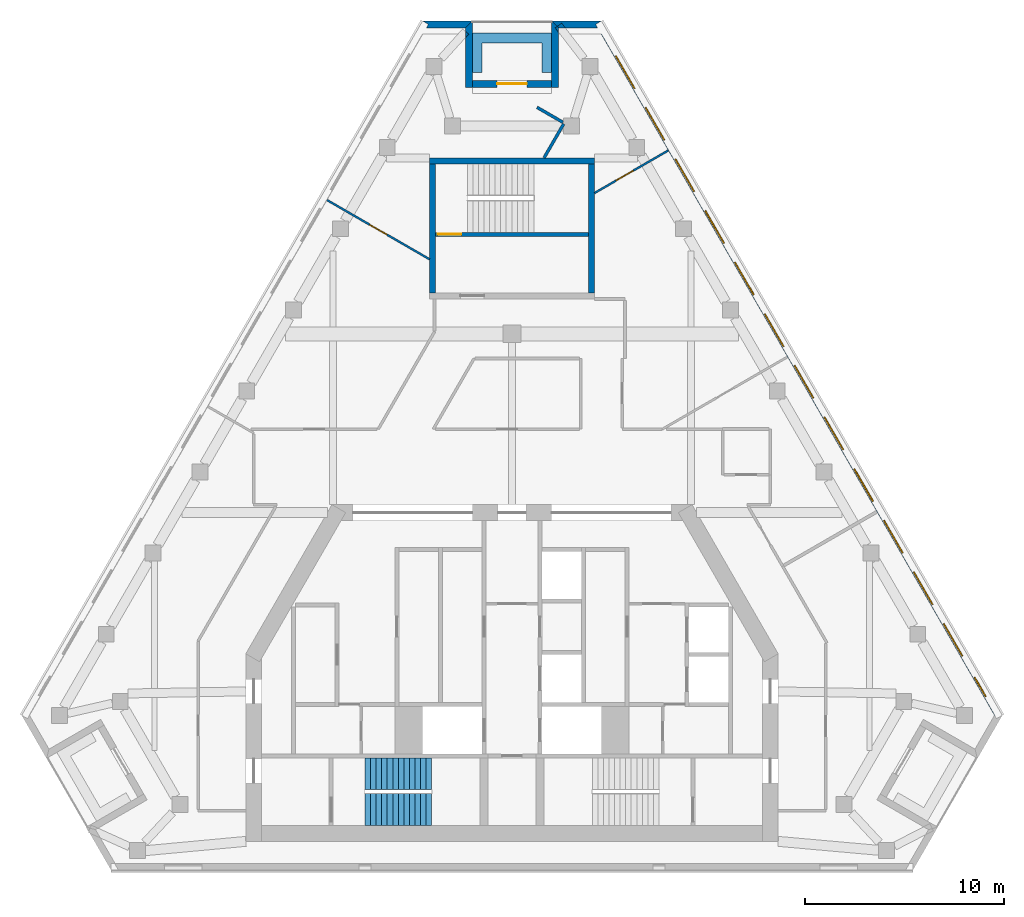
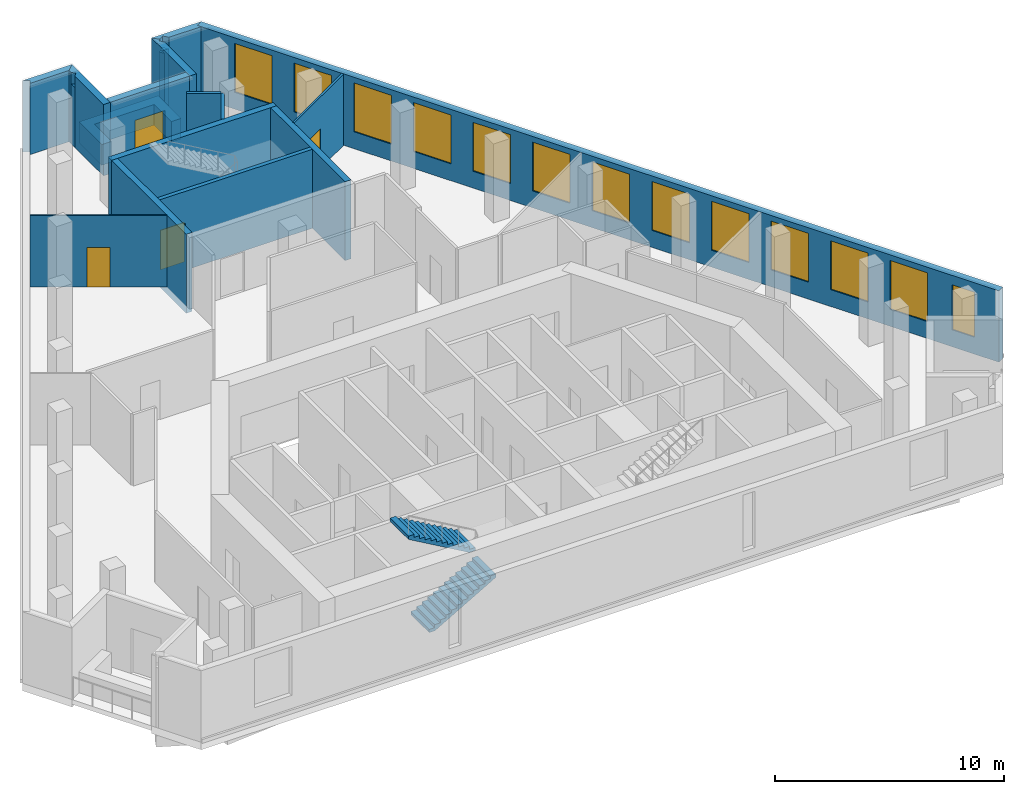
# One storey, part 6 of 8: 18 walls, 13 windows, 4 doors, 2 stair flights, 17 openings, 1 element without a shape of its own.
"""IFC4 building model written with IfcOpenShell, lengths in metres."""

from ifc_helpers import new_model, si_unit, direction, frame, frame_2d, origin, place, context, subcontext, project, spatial, polyline, rectangle, outline, extrude, material, layer, layer_set, type_object, element, fill, aggregate, save


model = new_model("IFC4")

# Units and contexts
model_context = context("Model", 3, precision=1e-05, world=origin(), true_north=direction((0.0, 1.0)))
body_context = subcontext(model_context, "Body", "Model", "MODEL_VIEW")
ifc_project = project(units=[si_unit("LENGTHUNIT", "METRE"), si_unit("AREAUNIT", "SQUARE_METRE"), si_unit("VOLUMEUNIT", "CUBIC_METRE"), si_unit("PLANEANGLEUNIT", "RADIAN"), si_unit("MASSUNIT", "GRAM", prefix="KILO")], contexts=[model_context])

# Site, building, storey
site_placement = place(None, origin())
site = spatial("IfcSite", under=ifc_project, at=site_placement, CompositionType="ELEMENT")
building_placement = place(site_placement, origin())
building = spatial("IfcBuilding", under=site, at=building_placement, Name="Fogline Exchange Tower", CompositionType="ELEMENT")
storey_placement = place(building_placement, frame((0.0, 0.0, 318.300048828125)))
storey = spatial("IfcBuildingStorey", under=building, at=storey_placement, Name="L72", CompositionType="ELEMENT", Elevation=318.300048828125)

# Wall, opening, door
ifc_material_1 = material(Name="Concrete C40", Category="concrete")
ifc_layer_1 = layer(ifc_material_1, 0.199951171875)
ifc_layer_set_1 = layer_set([ifc_layer_1], Name="CW20R")
wall_type_1 = type_object("IfcWallType", Name="CW20R", PredefinedType="SOLIDWALL", material=ifc_layer_set_1)
wall_1_placement = place(storey_placement, frame((-3.85009765625, 32.007080078125, -0.400146484375), z_axis=(0.0, 0.0, 1.0), x_axis=(1.0, 0.0, 0.0)))
wall_1 = element("IfcWall", 1, at=wall_1_placement, inside=storey, type_object=wall_type_1, Name="Stair enclosure wall ST3", PredefinedType="SOLIDWALL", context=body_context, shape_type="SweptSolid", body=[
    extrude(rectangle(XDim=7.7001953125, YDim=0.199951171875, at=frame_2d((3.85009765625, 0.0))), origin(), (0.0, 0.0, 1.0), 4.2001953125),
])
opening_1_placement = place(wall_1_placement, frame((0.10009765625, 0.0, 0.39990234375)))
opening_1 = element("IfcOpeningElement", 2, at=opening_1_placement, cuts=wall_1, Name="Opening T22-C023", PredefinedType="OPENING", context=body_context, shape_type="SweptSolid", body=[
    extrude(rectangle(XDim=1.199951171875, YDim=2.10009765625, at=frame_2d((0.60009765625, 1.050048828125))), frame((0.0, 0.10986328125, 0.0), z_axis=(0.0, -1.0, 0.0), x_axis=(1.0, 0.0, 0.0)), (0.0, 0.0, 1.0), 0.219970703125),
])
ifc_material_2 = material(Name="Steel and timber fire door", Category="steel")
door_type_1 = type_object("IfcDoorType", Name="D-ST1", OperationType="SINGLE_SWING_LEFT", PredefinedType="DOOR", material=ifc_material_2)
door_1_placement = place(opening_1_placement, origin())
door_1 = element("IfcDoor", 3, at=door_1_placement, inside=storey, type_object=door_type_1, Name="Stair door ST3", OperationType="SINGLE_SWING_LEFT", OverallHeight=2.10009765625, OverallWidth=1.199951171875, PredefinedType="DOOR", context=body_context, shape_type="SweptSolid", body=[
    extrude(rectangle(XDim=1.199951171875, YDim=2.10009765625, at=frame_2d((0.60009765625, 1.050048828125))), frame((0.0, 0.02490234375, 0.0), z_axis=(0.0, -1.0, 0.0), x_axis=(1.0, 0.0, 0.0)), (0.0, 0.0, 1.0), 0.050048828125),
])
fill(opening_1, door_1)

# Walls
ifc_layer_2 = layer(ifc_material_1, 0.300048828125)
ifc_layer_set_2 = layer_set([ifc_layer_2], Name="CW30")
wall_type_2 = type_object("IfcWallType", Name="CW30", PredefinedType="SOLIDWALL", material=ifc_layer_set_2)
wall_2_placement = place(storey_placement, frame((-4.14990234375, 35.70703125, -0.400146484375), z_axis=(0.0, 0.0, 1.0), x_axis=(1.0, 0.0, 0.0)))
element("IfcWall", 4, at=wall_2_placement, inside=storey, type_object=wall_type_2, Name="Stair enclosure wall ST3", PredefinedType="SOLIDWALL", context=body_context, shape_type="SweptSolid", body=[
    extrude(rectangle(XDim=8.2998046875, YDim=0.300048828125, at=frame_2d((4.14990234375, 0.0))), origin(), (0.0, 0.0, 1.0), 4.2001953125),
])
for number, where, z_axis, x_axis, name in (
    (5, (-4.0, 29.056884765625, -0.400146484375), (0.0, 0.0, 1.0), (0.0, 1.0, 0.0), "Stair enclosure wall ST3"),
    (6, (4.0, 29.056884765625, -0.400146484375), (0.0, 0.0, 1.0), (0.0, 1.0, 0.0), "Stair enclosure wall ST3"),
):
    element("IfcWall", number, at=place(storey_placement, frame(where, z_axis=z_axis, x_axis=x_axis)), inside=storey, type_object=wall_type_2, Name=name, PredefinedType="SOLIDWALL", context=body_context, shape_type="SweptSolid", body=[
        extrude(rectangle(XDim=6.5, YDim=0.300048828125, at=frame_2d((3.25, 0.0))), origin(), (0.0, 0.0, 1.0), 4.2001953125),
    ])

# Wall, openings, windows
ifc_material_3 = material(Name="Brick masonry", Category="masonry")
ifc_layer_3 = layer(ifc_material_3, 0.340087890625)
ifc_layer_set_3 = layer_set([ifc_layer_3], Name="FW1")
wall_type_3 = type_object("IfcWallType", Name="FW1", PredefinedType="SOLIDWALL", material=ifc_layer_set_3)
wall_3_placement = place(storey_placement, frame((24.532470703125, 7.709228515625, 0.0), z_axis=(0.0, 0.0, 1.0), x_axis=(-0.499998406252, 0.866026323933, 0.0)))
wall_3 = element("IfcWall", 7, at=wall_3_placement, inside=storey, type_object=wall_type_3, Name="Brick wall L72 E", PredefinedType="SOLIDWALL", context=body_context, shape_type="SweptSolid", body=[
    extrude(rectangle(XDim=40.359619140625, YDim=0.340087890625, at=frame_2d((20.1796875, 0.0))), origin(), (0.0, 0.0, 1.0), 3.800048828125),
])
opening_2_placement = place(wall_3_placement, frame((3.58984375, 0.0, 0.89990234375)))
opening_2 = element("IfcOpeningElement", 8, at=opening_2_placement, cuts=wall_3, Name="Opening W3", PredefinedType="OPENING", context=body_context, shape_type="SweptSolid", body=[
    extrude(rectangle(XDim=1.885009765625, YDim=2.60009765625, at=frame_2d((0.9423828125, 1.300048828125))), frame((0.0, 0.18017578125, 0.0), z_axis=(0.0, -1.0, 0.0), x_axis=(1.0, 0.0, 0.0)), (0.0, 0.0, 1.0), 0.360107421875),
])
opening_3_placement = place(wall_3_placement, frame((6.58984375, 0.0, 0.89990234375)))
opening_3 = element("IfcOpeningElement", 9, at=opening_3_placement, cuts=wall_3, Name="Opening W3", PredefinedType="OPENING", context=body_context, shape_type="SweptSolid", body=[
    extrude(rectangle(XDim=1.885009765625, YDim=2.60009765625, at=frame_2d((0.9423828125, 1.300048828125))), frame((0.0, 0.18017578125, 0.0), z_axis=(0.0, -1.0, 0.0), x_axis=(1.0, 0.0, 0.0)), (0.0, 0.0, 1.0), 0.360107421875),
])
opening_4_placement = place(wall_3_placement, frame((9.58984375, 0.0, 0.89990234375)))
opening_4 = element("IfcOpeningElement", 10, at=opening_4_placement, cuts=wall_3, Name="Opening W3", PredefinedType="OPENING", context=body_context, shape_type="SweptSolid", body=[
    extrude(rectangle(XDim=1.885009765625, YDim=2.60009765625, at=frame_2d((0.9423828125, 1.300048828125))), frame((0.0, 0.18017578125, 0.0), z_axis=(0.0, -1.0, 0.0), x_axis=(1.0, 0.0, 0.0)), (0.0, 0.0, 1.0), 0.360107421875),
])
opening_5_placement = place(wall_3_placement, frame((12.58984375, 0.0, 0.89990234375)))
opening_5 = element("IfcOpeningElement", 11, at=opening_5_placement, cuts=wall_3, Name="Opening W3", PredefinedType="OPENING", context=body_context, shape_type="SweptSolid", body=[
    extrude(rectangle(XDim=1.885009765625, YDim=2.60009765625, at=frame_2d((0.9423828125, 1.300048828125))), frame((0.0, 0.18017578125, 0.0), z_axis=(0.0, -1.0, 0.0), x_axis=(1.0, 0.0, 0.0)), (0.0, 0.0, 1.0), 0.360107421875),
])
opening_6_placement = place(wall_3_placement, frame((15.58984375, 0.0, 0.89990234375)))
opening_6 = element("IfcOpeningElement", 12, at=opening_6_placement, cuts=wall_3, Name="Opening W3", PredefinedType="OPENING", context=body_context, shape_type="SweptSolid", body=[
    extrude(rectangle(XDim=1.885009765625, YDim=2.60009765625, at=frame_2d((0.9423828125, 1.300048828125))), frame((0.0, 0.18017578125, 0.0), z_axis=(0.0, -1.0, 0.0), x_axis=(1.0, 0.0, 0.0)), (0.0, 0.0, 1.0), 0.360107421875),
])
opening_7_placement = place(wall_3_placement, frame((18.58984375, 0.0, 0.89990234375)))
opening_7 = element("IfcOpeningElement", 13, at=opening_7_placement, cuts=wall_3, Name="Opening W3", PredefinedType="OPENING", context=body_context, shape_type="SweptSolid", body=[
    extrude(rectangle(XDim=1.885009765625, YDim=2.60009765625, at=frame_2d((0.9423828125, 1.300048828125))), frame((0.0, 0.18017578125, 0.0), z_axis=(0.0, -1.0, 0.0), x_axis=(1.0, 0.0, 0.0)), (0.0, 0.0, 1.0), 0.360107421875),
])
opening_8_placement = place(wall_3_placement, frame((21.58984375, 0.0, 0.89990234375)))
opening_8 = element("IfcOpeningElement", 14, at=opening_8_placement, cuts=wall_3, Name="Opening W3", PredefinedType="OPENING", context=body_context, shape_type="SweptSolid", body=[
    extrude(rectangle(XDim=1.885009765625, YDim=2.60009765625, at=frame_2d((0.9423828125, 1.300048828125))), frame((0.0, 0.18017578125, 0.0), z_axis=(0.0, -1.0, 0.0), x_axis=(1.0, 0.0, 0.0)), (0.0, 0.0, 1.0), 0.360107421875),
])
opening_9_placement = place(wall_3_placement, frame((24.58984375, 0.0, 0.89990234375)))
opening_9 = element("IfcOpeningElement", 15, at=opening_9_placement, cuts=wall_3, Name="Opening W3", PredefinedType="OPENING", context=body_context, shape_type="SweptSolid", body=[
    extrude(rectangle(XDim=1.885009765625, YDim=2.60009765625, at=frame_2d((0.9423828125, 1.300048828125))), frame((0.0, 0.18017578125, 0.0), z_axis=(0.0, -1.0, 0.0), x_axis=(1.0, 0.0, 0.0)), (0.0, 0.0, 1.0), 0.360107421875),
])
opening_10_placement = place(wall_3_placement, frame((27.58984375, 0.0, 0.89990234375)))
opening_10 = element("IfcOpeningElement", 16, at=opening_10_placement, cuts=wall_3, Name="Opening W3", PredefinedType="OPENING", context=body_context, shape_type="SweptSolid", body=[
    extrude(rectangle(XDim=1.885009765625, YDim=2.60009765625, at=frame_2d((0.9423828125, 1.300048828125))), frame((0.0, 0.18017578125, 0.0), z_axis=(0.0, -1.0, 0.0), x_axis=(1.0, 0.0, 0.0)), (0.0, 0.0, 1.0), 0.360107421875),
])
opening_11_placement = place(wall_3_placement, frame((30.58984375, 0.0, 0.89990234375)))
opening_11 = element("IfcOpeningElement", 17, at=opening_11_placement, cuts=wall_3, Name="Opening W3", PredefinedType="OPENING", context=body_context, shape_type="SweptSolid", body=[
    extrude(rectangle(XDim=1.885009765625, YDim=2.60009765625, at=frame_2d((0.9423828125, 1.300048828125))), frame((0.0, 0.18017578125, 0.0), z_axis=(0.0, -1.0, 0.0), x_axis=(1.0, 0.0, 0.0)), (0.0, 0.0, 1.0), 0.360107421875),
])
opening_12_placement = place(wall_3_placement, frame((33.58984375, 0.0, 0.89990234375)))
opening_12 = element("IfcOpeningElement", 18, at=opening_12_placement, cuts=wall_3, Name="Opening W3", PredefinedType="OPENING", context=body_context, shape_type="SweptSolid", body=[
    extrude(rectangle(XDim=1.885009765625, YDim=2.60009765625, at=frame_2d((0.9423828125, 1.300048828125))), frame((0.0, 0.18017578125, 0.0), z_axis=(0.0, -1.0, 0.0), x_axis=(1.0, 0.0, 0.0)), (0.0, 0.0, 1.0), 0.360107421875),
])
opening_13_placement = place(wall_3_placement, frame((36.58984375, 0.0, 0.89990234375)))
opening_13 = element("IfcOpeningElement", 19, at=opening_13_placement, cuts=wall_3, Name="Opening W3", PredefinedType="OPENING", context=body_context, shape_type="SweptSolid", body=[
    extrude(rectangle(XDim=1.885009765625, YDim=2.60009765625, at=frame_2d((0.9423828125, 1.300048828125))), frame((0.0, 0.18017578125, 0.0), z_axis=(0.0, -1.0, 0.0), x_axis=(1.0, 0.0, 0.0)), (0.0, 0.0, 1.0), 0.360107421875),
])
opening_14_placement = place(wall_3_placement, frame((1.237548828125, 0.0, 0.89990234375)))
opening_14 = element("IfcOpeningElement", 20, at=opening_14_placement, cuts=wall_3, Name="Opening W4", PredefinedType="OPENING", context=body_context, shape_type="SweptSolid", body=[
    extrude(rectangle(XDim=1.114990234375, YDim=2.39990234375, at=frame_2d((0.5576171875, 1.199951171875))), frame((0.0, 0.18017578125, 0.0), z_axis=(0.0, -1.0, 0.0), x_axis=(1.0, 0.0, 0.0)), (0.0, 0.0, 1.0), 0.360107421875),
])
ifc_material_4 = material(Name="Aluminium and glass", Category="aluminium")
window_type_1 = type_object("IfcWindowType", Name="W3", PartitioningType="SINGLE_PANEL", PredefinedType="WINDOW", material=ifc_material_4)
window_1_placement = place(opening_2_placement, origin())
window_1 = element("IfcWindow", 21, at=window_1_placement, inside=storey, type_object=window_type_1, Name="W3 W3", OverallHeight=2.60009765625, OverallWidth=1.885009765625, PartitioningType="SINGLE_PANEL", PredefinedType="WINDOW", context=body_context, shape_type="SweptSolid", body=[
    extrude(rectangle(XDim=1.885009765625, YDim=2.60009765625, at=frame_2d((0.9423828125, 1.300048828125))), frame((0.0, 0.110107421875, 0.0), z_axis=(0.0, -1.0, 0.0), x_axis=(1.0, 0.0, 0.0)), (0.0, 0.0, 1.0), 0.06005859375),
])
fill(opening_2, window_1)
window_2_placement = place(opening_3_placement, origin())
window_2 = element("IfcWindow", 22, at=window_2_placement, inside=storey, type_object=window_type_1, Name="W3 W3", OverallHeight=2.60009765625, OverallWidth=1.885009765625, PartitioningType="SINGLE_PANEL", PredefinedType="WINDOW", context=body_context, shape_type="SweptSolid", body=[
    extrude(rectangle(XDim=1.885009765625, YDim=2.60009765625, at=frame_2d((0.9423828125, 1.300048828125))), frame((0.0, 0.110107421875, 0.0), z_axis=(0.0, -1.0, 0.0), x_axis=(1.0, 0.0, 0.0)), (0.0, 0.0, 1.0), 0.06005859375),
])
fill(opening_3, window_2)
window_3_placement = place(opening_4_placement, origin())
window_3 = element("IfcWindow", 23, at=window_3_placement, inside=storey, type_object=window_type_1, Name="W3 W3", OverallHeight=2.60009765625, OverallWidth=1.885009765625, PartitioningType="SINGLE_PANEL", PredefinedType="WINDOW", context=body_context, shape_type="SweptSolid", body=[
    extrude(rectangle(XDim=1.885009765625, YDim=2.60009765625, at=frame_2d((0.9423828125, 1.300048828125))), frame((0.0, 0.110107421875, 0.0), z_axis=(0.0, -1.0, 0.0), x_axis=(1.0, 0.0, 0.0)), (0.0, 0.0, 1.0), 0.06005859375),
])
fill(opening_4, window_3)
window_4_placement = place(opening_5_placement, origin())
window_4 = element("IfcWindow", 24, at=window_4_placement, inside=storey, type_object=window_type_1, Name="W3 W3", OverallHeight=2.60009765625, OverallWidth=1.885009765625, PartitioningType="SINGLE_PANEL", PredefinedType="WINDOW", context=body_context, shape_type="SweptSolid", body=[
    extrude(rectangle(XDim=1.885009765625, YDim=2.60009765625, at=frame_2d((0.9423828125, 1.300048828125))), frame((0.0, 0.110107421875, 0.0), z_axis=(0.0, -1.0, 0.0), x_axis=(1.0, 0.0, 0.0)), (0.0, 0.0, 1.0), 0.06005859375),
])
fill(opening_5, window_4)
window_5_placement = place(opening_6_placement, origin())
window_5 = element("IfcWindow", 25, at=window_5_placement, inside=storey, type_object=window_type_1, Name="W3 W3", OverallHeight=2.60009765625, OverallWidth=1.885009765625, PartitioningType="SINGLE_PANEL", PredefinedType="WINDOW", context=body_context, shape_type="SweptSolid", body=[
    extrude(rectangle(XDim=1.885009765625, YDim=2.60009765625, at=frame_2d((0.9423828125, 1.300048828125))), frame((0.0, 0.110107421875, 0.0), z_axis=(0.0, -1.0, 0.0), x_axis=(1.0, 0.0, 0.0)), (0.0, 0.0, 1.0), 0.06005859375),
])
fill(opening_6, window_5)
window_6_placement = place(opening_7_placement, origin())
window_6 = element("IfcWindow", 26, at=window_6_placement, inside=storey, type_object=window_type_1, Name="W3 W3", OverallHeight=2.60009765625, OverallWidth=1.885009765625, PartitioningType="SINGLE_PANEL", PredefinedType="WINDOW", context=body_context, shape_type="SweptSolid", body=[
    extrude(rectangle(XDim=1.885009765625, YDim=2.60009765625, at=frame_2d((0.9423828125, 1.300048828125))), frame((0.0, 0.110107421875, 0.0), z_axis=(0.0, -1.0, 0.0), x_axis=(1.0, 0.0, 0.0)), (0.0, 0.0, 1.0), 0.06005859375),
])
fill(opening_7, window_6)
window_7_placement = place(opening_8_placement, origin())
window_7 = element("IfcWindow", 27, at=window_7_placement, inside=storey, type_object=window_type_1, Name="W3 W3", OverallHeight=2.60009765625, OverallWidth=1.885009765625, PartitioningType="SINGLE_PANEL", PredefinedType="WINDOW", context=body_context, shape_type="SweptSolid", body=[
    extrude(rectangle(XDim=1.885009765625, YDim=2.60009765625, at=frame_2d((0.9423828125, 1.300048828125))), frame((0.0, 0.110107421875, 0.0), z_axis=(0.0, -1.0, 0.0), x_axis=(1.0, 0.0, 0.0)), (0.0, 0.0, 1.0), 0.06005859375),
])
fill(opening_8, window_7)
window_8_placement = place(opening_9_placement, origin())
window_8 = element("IfcWindow", 28, at=window_8_placement, inside=storey, type_object=window_type_1, Name="W3 W3", OverallHeight=2.60009765625, OverallWidth=1.885009765625, PartitioningType="SINGLE_PANEL", PredefinedType="WINDOW", context=body_context, shape_type="SweptSolid", body=[
    extrude(rectangle(XDim=1.885009765625, YDim=2.60009765625, at=frame_2d((0.9423828125, 1.300048828125))), frame((0.0, 0.110107421875, 0.0), z_axis=(0.0, -1.0, 0.0), x_axis=(1.0, 0.0, 0.0)), (0.0, 0.0, 1.0), 0.06005859375),
])
fill(opening_9, window_8)
window_9_placement = place(opening_10_placement, origin())
window_9 = element("IfcWindow", 29, at=window_9_placement, inside=storey, type_object=window_type_1, Name="W3 W3", OverallHeight=2.60009765625, OverallWidth=1.885009765625, PartitioningType="SINGLE_PANEL", PredefinedType="WINDOW", context=body_context, shape_type="SweptSolid", body=[
    extrude(rectangle(XDim=1.885009765625, YDim=2.60009765625, at=frame_2d((0.9423828125, 1.300048828125))), frame((0.0, 0.110107421875, 0.0), z_axis=(0.0, -1.0, 0.0), x_axis=(1.0, 0.0, 0.0)), (0.0, 0.0, 1.0), 0.06005859375),
])
fill(opening_10, window_9)
window_10_placement = place(opening_11_placement, origin())
window_10 = element("IfcWindow", 30, at=window_10_placement, inside=storey, type_object=window_type_1, Name="W3 W3", OverallHeight=2.60009765625, OverallWidth=1.885009765625, PartitioningType="SINGLE_PANEL", PredefinedType="WINDOW", context=body_context, shape_type="SweptSolid", body=[
    extrude(rectangle(XDim=1.885009765625, YDim=2.60009765625, at=frame_2d((0.9423828125, 1.300048828125))), frame((0.0, 0.110107421875, 0.0), z_axis=(0.0, -1.0, 0.0), x_axis=(1.0, 0.0, 0.0)), (0.0, 0.0, 1.0), 0.06005859375),
])
fill(opening_11, window_10)
window_11_placement = place(opening_12_placement, origin())
window_11 = element("IfcWindow", 31, at=window_11_placement, inside=storey, type_object=window_type_1, Name="W3 W3", OverallHeight=2.60009765625, OverallWidth=1.885009765625, PartitioningType="SINGLE_PANEL", PredefinedType="WINDOW", context=body_context, shape_type="SweptSolid", body=[
    extrude(rectangle(XDim=1.885009765625, YDim=2.60009765625, at=frame_2d((0.9423828125, 1.300048828125))), frame((0.0, 0.110107421875, 0.0), z_axis=(0.0, -1.0, 0.0), x_axis=(1.0, 0.0, 0.0)), (0.0, 0.0, 1.0), 0.06005859375),
])
fill(opening_12, window_11)
window_12_placement = place(opening_13_placement, origin())
window_12 = element("IfcWindow", 32, at=window_12_placement, inside=storey, type_object=window_type_1, Name="W3 W3", OverallHeight=2.60009765625, OverallWidth=1.885009765625, PartitioningType="SINGLE_PANEL", PredefinedType="WINDOW", context=body_context, shape_type="SweptSolid", body=[
    extrude(rectangle(XDim=1.885009765625, YDim=2.60009765625, at=frame_2d((0.9423828125, 1.300048828125))), frame((0.0, 0.110107421875, 0.0), z_axis=(0.0, -1.0, 0.0), x_axis=(1.0, 0.0, 0.0)), (0.0, 0.0, 1.0), 0.06005859375),
])
fill(opening_13, window_12)
window_type_2 = type_object("IfcWindowType", Name="W4", PartitioningType="SINGLE_PANEL", PredefinedType="WINDOW", material=ifc_material_4)
window_13_placement = place(opening_14_placement, origin())
window_13 = element("IfcWindow", 33, at=window_13_placement, inside=storey, type_object=window_type_2, Name="W4 W4", OverallHeight=2.39990234375, OverallWidth=1.114990234375, PartitioningType="SINGLE_PANEL", PredefinedType="WINDOW", context=body_context, shape_type="SweptSolid", body=[
    extrude(rectangle(XDim=1.114990234375, YDim=2.39990234375, at=frame_2d((0.5576171875, 1.199951171875))), frame((0.0, 0.110107421875, 0.0), z_axis=(0.0, -1.0, 0.0), x_axis=(1.0, 0.0, 0.0)), (0.0, 0.0, 1.0), 0.06005859375),
])
fill(opening_14, window_13)

# Walls
wall_4_placement = place(storey_placement, origin())
element("IfcWall", 34, at=wall_4_placement, inside=storey, type_object=wall_type_3, Name="Brick wall L72 N-c1", PredefinedType="SOLIDWALL", context=body_context, shape_type="SweptSolid", body=[
    extrude(outline(polyline([(2.33984375, 42.406005859375), (2.27587890625, 42.469970703125), (2.498779296875, 42.64111328125), (2.678955078125, 42.406005859375), (2.33984375, 42.406005859375)])), origin(), (0.0, 0.0, 1.0), 3.199951171875),
])
wall_5_placement = place(storey_placement, origin())
element("IfcWall", 35, at=wall_5_placement, inside=storey, type_object=wall_type_3, Name="Brick wall L72 N-c1", PredefinedType="SOLIDWALL", context=body_context, shape_type="SweptSolid", body=[
    extrude(outline(polyline([(4.5009765625, 42.747314453125), (4.501220703125, 42.74658203125), (4.206298828125, 42.576416015625), (4.3046875, 42.406005859375), (2.678955078125, 42.406005859375), (2.498779296875, 42.64111328125), (2.27587890625, 42.469970703125), (1.998779296875, 42.7470703125), (1.9990234375, 42.747314453125), (4.5009765625, 42.747314453125)])), origin(), (0.0, 0.0, 1.0), 3.800048828125),
])
wall_6_placement = place(storey_placement, origin())
element("IfcWall", 36, at=wall_6_placement, inside=storey, type_object=wall_type_3, Name="Brick wall L72 N-s1", PredefinedType="SOLIDWALL", context=body_context, shape_type="SweptSolid", body=[
    extrude(outline(polyline([(2.340576171875, 42.406982421875), (2.340576171875, 42.18994140625), (2.181396484375, 42.3974609375), (2.27685546875, 42.470703125), (2.340576171875, 42.406982421875)])), origin(), (0.0, 0.0, 1.0), 3.199951171875),
])
wall_7_placement = place(storey_placement, origin())
element("IfcWall", 37, at=wall_7_placement, inside=storey, type_object=wall_type_3, Name="Brick wall L72 N-s1", PredefinedType="SOLIDWALL", context=body_context, shape_type="SweptSolid", body=[
    extrude(outline(polyline([(1.99951171875, 39.406005859375), (1.99951171875, 42.747802734375), (1.999755859375, 42.747802734375), (2.27685546875, 42.470703125), (2.181396484375, 42.3974609375), (2.340576171875, 42.18994140625), (2.340576171875, 39.406005859375), (1.99951171875, 39.406005859375)])), origin(), (0.0, 0.0, 1.0), 3.800048828125),
])

# Wall, opening, door
wall_8_placement = place(storey_placement, frame((2.0, 39.57666015625, 0.0), z_axis=(0.0, 0.0, 1.0), x_axis=(-1.0, 0.0, 0.0)))
wall_8 = element("IfcWall", 38, at=wall_8_placement, inside=storey, type_object=wall_type_3, Name="Brick wall L72 N-bk", PredefinedType="SOLIDWALL", context=body_context, shape_type="SweptSolid", body=[
    extrude(rectangle(XDim=4.0, YDim=0.340087890625, at=frame_2d((2.0, 0.0))), origin(), (0.0, 0.0, 1.0), 3.800048828125),
])
opening_15_placement = place(wall_8_placement, frame((1.25, 0.0, 0.0)))
opening_15 = element("IfcOpeningElement", 39, at=opening_15_placement, cuts=wall_8, Name="Opening T22-E141", PredefinedType="OPENING", context=body_context, shape_type="SweptSolid", body=[
    extrude(rectangle(XDim=1.5, YDim=2.39990234375, at=frame_2d((0.75, 1.199951171875))), frame((0.0, 0.18017578125, 0.0), z_axis=(0.0, -1.0, 0.0), x_axis=(1.0, 0.0, 0.0)), (0.0, 0.0, 1.0), 0.360107421875),
])
door_type_2 = type_object("IfcDoorType", Name="ED4", OperationType="SINGLE_SWING_LEFT", PredefinedType="DOOR", material=ifc_material_4)
door_2_placement = place(opening_15_placement, frame((1.5, 0.0, 0.0), z_axis=(0.0, 0.0, 1.0), x_axis=(-1.0, 0.0, 0.0)))
door_2 = element("IfcDoor", 40, at=door_2_placement, inside=storey, type_object=door_type_2, Name="Balcony door L72 N", OperationType="DOUBLE_DOOR_SINGLE_SWING", OverallHeight=2.39990234375, OverallWidth=1.5, PredefinedType="DOOR", context=body_context, shape_type="SweptSolid", body=[
    extrude(rectangle(XDim=1.5, YDim=2.39990234375, at=frame_2d((0.75, 1.199951171875))), frame((0.0, 0.02490234375, 0.0), z_axis=(0.0, -1.0, 0.0), x_axis=(1.0, 0.0, 0.0)), (0.0, 0.0, 1.0), 0.050048828125),
])
fill(opening_15, door_2)

# Walls
wall_9_placement = place(storey_placement, origin())
element("IfcWall", 41, at=wall_9_placement, inside=storey, type_object=wall_type_3, Name="Brick wall L72 N-s2", PredefinedType="SOLIDWALL", context=body_context, shape_type="SweptSolid", body=[
    extrude(outline(polyline([(-2.340576171875, 42.2197265625), (-2.186767578125, 42.08056640625), (-2.340576171875, 41.91015625), (-2.340576171875, 42.2197265625)])), origin(), (0.0, 0.0, 1.0), 3.199951171875),
])
wall_10_placement = place(storey_placement, origin())
element("IfcWall", 42, at=wall_10_placement, inside=storey, type_object=wall_type_3, Name="Brick wall L72 N-s2", PredefinedType="SOLIDWALL", context=body_context, shape_type="SweptSolid", body=[
    extrude(outline(polyline([(-1.99951171875, 39.406005859375), (-2.340576171875, 39.406005859375), (-2.340576171875, 41.91015625), (-2.186767578125, 42.08056640625), (-2.340576171875, 42.2197265625), (-2.340576171875, 42.406982421875), (-1.999755859375, 42.747802734375), (-1.99951171875, 42.747802734375), (-1.99951171875, 39.406005859375)])), origin(), (0.0, 0.0, 1.0), 3.800048828125),
])
wall_11_placement = place(storey_placement, origin())
element("IfcWall", 43, at=wall_11_placement, inside=storey, type_object=wall_type_3, Name="Brick wall L72 N-c2", PredefinedType="SOLIDWALL", context=body_context, shape_type="SweptSolid", body=[
    extrude(outline(polyline([(-4.3046875, 42.406005859375), (-4.206298828125, 42.576416015625), (-4.501220703125, 42.74658203125), (-4.5009765625, 42.747314453125), (-1.9990234375, 42.747314453125), (-1.998779296875, 42.7470703125), (-2.33984375, 42.406005859375), (-4.3046875, 42.406005859375)])), origin(), (0.0, 0.0, 1.0), 3.800048828125),
])
ifc_material_5 = material(Name="Concrete C30", Category="concrete")
ifc_layer_4 = layer(ifc_material_5, 0.199951171875)
ifc_layer_set_4 = layer_set([ifc_layer_4], Name="PL1")
wall_type_4 = type_object("IfcWallType", Name="PL1", PredefinedType="USERDEFINED", material=ifc_layer_set_4)
wall_12_placement = place(storey_placement, origin())
element("IfcWall", 44, at=wall_12_placement, inside=storey, type_object=wall_type_4, Name="PLANTER balcony L72 N", ObjectType="PLANTER", PredefinedType="USERDEFINED", context=body_context, shape_type="SweptSolid", body=[
    extrude(outline(polyline([(-1.5, 42.146728515625), (-2.0, 42.146728515625), (-2.0, 41.646728515625), (-2.0, 40.146728515625), (-1.5, 40.146728515625), (-1.5, 41.646728515625), (1.5, 41.646728515625), (1.5, 40.146728515625), (2.0, 40.146728515625), (2.0, 41.646728515625), (2.0, 42.146728515625), (1.5, 42.146728515625), (-1.5, 42.146728515625)])), origin(), (0.0, 0.0, 1.0), 1.099853515625),
])

# Wall, opening, door
ifc_material_6 = material(Name="Plasterboard partition, 2 layers each side on steel studs", Category="steel")
ifc_layer_5 = layer(ifc_material_6, 0.10009765625)
ifc_layer_set_5 = layer_set([ifc_layer_5], Name="PW1")
wall_type_5 = type_object("IfcWallType", Name="PW1", PredefinedType="PARTITIONING", material=ifc_layer_set_5)
wall_13_placement = place(storey_placement, frame((4.14990234375, 34.083984375, 0.0), z_axis=(0.0, 0.0, 1.0), x_axis=(0.866034117822, 0.499984906541, 0.0)))
wall_13 = element("IfcWall", 45, at=wall_13_placement, inside=storey, type_object=wall_type_5, Name="wall-L72-W030", PredefinedType="PARTITIONING", context=body_context, shape_type="SweptSolid", body=[
    extrude(rectangle(XDim=4.294677734375, YDim=0.10009765625, at=frame_2d((2.1474609375, 0.0))), origin(), (0.0, 0.0, 1.0), 3.800048828125),
])
opening_16_placement = place(wall_13_placement, frame((1.26611328125, 0.0, 0.0)))
opening_16 = element("IfcOpeningElement", 46, at=opening_16_placement, cuts=wall_13, Name="Opening T22-D009", PredefinedType="OPENING", context=body_context, shape_type="SweptSolid", body=[
    extrude(rectangle(XDim=1.0, YDim=2.10009765625, at=frame_2d((0.5, 1.050048828125))), frame((0.0, 0.06005859375, 0.0), z_axis=(0.0, -1.0, 0.0), x_axis=(1.0, 0.0, 0.0)), (0.0, 0.0, 1.0), 0.1201171875),
])
ifc_material_7 = material(Name="Timber door leaf with steel frame", Category="steel")
door_type_3 = type_object("IfcDoorType", Name="D1", OperationType="SINGLE_SWING_LEFT", PredefinedType="DOOR", material=ifc_material_7)
door_3_placement = place(opening_16_placement, origin())
door_3 = element("IfcDoor", 47, at=door_3_placement, inside=storey, type_object=door_type_3, Name="door-L72-D009", OperationType="SINGLE_SWING_LEFT", OverallHeight=2.10009765625, OverallWidth=1.0, PredefinedType="DOOR", context=body_context, shape_type="SweptSolid", body=[
    extrude(rectangle(XDim=1.0, YDim=2.10009765625, at=frame_2d((0.5, 1.050048828125))), frame((0.0, 0.02490234375, 0.0), z_axis=(0.0, -1.0, 0.0), x_axis=(1.0, 0.0, 0.0)), (0.0, 0.0, 1.0), 0.050048828125),
])
fill(opening_16, door_3)

wall_14_placement = place(storey_placement, frame((-4.14990234375, 30.752685546875, 0.0), z_axis=(0.0, 0.0, 1.0), x_axis=(-0.866031423615, 0.499989573202, 0.0)))
wall_14 = element("IfcWall", 48, at=wall_14_placement, inside=storey, type_object=wall_type_5, Name="wall-L72-W033", PredefinedType="PARTITIONING", context=body_context, shape_type="SweptSolid", body=[
    extrude(rectangle(XDim=5.960205078125, YDim=0.10009765625, at=frame_2d((2.97998046875, 0.0))), origin(), (0.0, 0.0, 1.0), 3.800048828125),
])
opening_17_placement = place(wall_14_placement, frame((2.47998046875, 0.0, 0.0)))
opening_17 = element("IfcOpeningElement", 49, at=opening_17_placement, cuts=wall_14, Name="Opening T22-D010", PredefinedType="OPENING", context=body_context, shape_type="SweptSolid", body=[
    extrude(rectangle(XDim=1.0, YDim=2.10009765625, at=frame_2d((0.5, 1.050048828125))), frame((0.0, 0.06005859375, 0.0), z_axis=(0.0, -1.0, 0.0), x_axis=(1.0, 0.0, 0.0)), (0.0, 0.0, 1.0), 0.1201171875),
])
door_4_placement = place(opening_17_placement, frame((1.0, 0.0, 0.0), z_axis=(0.0, 0.0, 1.0), x_axis=(-1.0, 0.0, 0.0)))
door_4 = element("IfcDoor", 50, at=door_4_placement, inside=storey, type_object=door_type_3, Name="door-L72-D010", OperationType="SINGLE_SWING_RIGHT", OverallHeight=2.10009765625, OverallWidth=1.0, PredefinedType="DOOR", context=body_context, shape_type="SweptSolid", body=[
    extrude(rectangle(XDim=1.0, YDim=2.10009765625, at=frame_2d((0.5, 1.050048828125))), frame((0.0, 0.02490234375, 0.0), z_axis=(0.0, -1.0, 0.0), x_axis=(1.0, 0.0, 0.0)), (0.0, 0.0, 1.0), 0.050048828125),
])
fill(opening_17, door_4)

# Walls
ifc_material_8 = material(Name="Plasterboard demising partition with mineral wool and acoustic board")
ifc_layer_6 = layer(ifc_material_8, 0.14990234375)
ifc_layer_set_6 = layer_set([ifc_layer_6], Name="PW3")
wall_type_6 = type_object("IfcWallType", Name="PW3", PredefinedType="PARTITIONING", material=ifc_layer_set_6)
wall_15_placement = place(storey_placement, frame((1.6142578125, 35.85693359375, 0.0), z_axis=(0.0, 0.0, 1.0), x_axis=(0.500054756813, 0.865993787616, 0.0)))
element("IfcWall", 51, at=wall_15_placement, inside=storey, type_object=wall_type_6, Name="wall-L72-W031", PredefinedType="PARTITIONING", context=body_context, shape_type="SweptSolid", body=[
    extrude(rectangle(XDim=1.971435546875, YDim=0.14990234375, at=frame_2d((0.98583984375, 0.0))), origin(), (0.0, 0.0, 1.0), 3.800048828125),
])
wall_16_placement = place(storey_placement, frame((2.5615234375, 37.64794921875, 0.0), z_axis=(0.0, 0.0, 1.0), x_axis=(-0.866012220445, 0.500022833518, 0.0)))
element("IfcWall", 52, at=wall_16_placement, inside=storey, type_object=wall_type_6, Name="wall-L72-W032", PredefinedType="PARTITIONING", context=body_context, shape_type="SweptSolid", body=[
    extrude(rectangle(XDim=1.5009765625, YDim=0.14990234375, at=frame_2d((0.75048828125, 0.0))), origin(), (0.0, 0.0, 1.0), 3.800048828125),
])

# Stair, stair flights
stair_type = type_object("IfcStairType", Name="STR26-1615", PredefinedType="HALF_TURN_STAIR", material=ifc_material_1)
stair_placement = place(storey_placement, origin())
stair = element("IfcStair", 53, at=stair_placement, inside=storey, type_object=stair_type, Name="Stair ST1", PredefinedType="HALF_TURN_STAIR")
stair_flight_type = type_object("IfcStairFlightType", Name="SF13-1615", PredefinedType="STRAIGHT", material=ifc_material_1)
stair_flight_1_placement = place(storey_placement, frame((-7.39990234375, 3.050048828125, 0.0), z_axis=(0.0, 0.0, 1.0), x_axis=(1.0, 0.0, 0.0)))
stair_flight_1 = element("IfcStairFlight", 54, at=stair_flight_1_placement, type_object=stair_flight_type, Name="ST1 flight 1", NumberOfRisers=13, NumberOfTreads=12, PredefinedType="STRAIGHT", RiserHeight=0.161538462, TreadLength=0.28, context=body_context, shape_type="SweptSolid", body=[
    extrude(outline(polyline([(0.0, 0.0), (0.0, 0.16162109375), (0.280029296875, 0.16162109375), (0.280029296875, 0.322998046875), (0.56005859375, 0.322998046875), (0.56005859375, 0.484619140625), (0.840087890625, 0.484619140625), (0.840087890625, 0.646240234375), (1.1201171875, 0.646240234375), (1.1201171875, 0.8076171875), (1.39990234375, 0.8076171875), (1.39990234375, 0.96923828125), (1.679931640625, 0.96923828125), (1.679931640625, 1.130859375), (1.9599609375, 1.130859375), (1.9599609375, 1.292236328125), (2.239990234375, 1.292236328125), (2.239990234375, 1.453857421875), (2.52001953125, 1.453857421875), (2.52001953125, 1.615478515625), (2.800048828125, 1.615478515625), (2.800048828125, 1.77685546875), (3.080078125, 1.77685546875), (3.080078125, 1.9384765625), (3.360107421875, 1.9384765625), (3.360107421875, 2.10009765625), (3.360107421875, 1.765380859375), (0.300048828125, 0.0), (0.0, 0.0)])), frame((0.0, 0.800048828125, 0.0), z_axis=(0.0, -1.0, 0.0), x_axis=(1.0, 0.0, 0.0)), (0.0, 0.0, 1.0), 1.60009765625),
])
stair_flight_2_placement = place(storey_placement, frame((-4.0400390625, 4.85009765625, 2.099853515625), z_axis=(0.0, 0.0, 1.0), x_axis=(-1.0, 0.0, 0.0)))
stair_flight_2 = element("IfcStairFlight", 55, at=stair_flight_2_placement, type_object=stair_flight_type, Name="ST1 flight 2", NumberOfRisers=13, NumberOfTreads=12, PredefinedType="STRAIGHT", RiserHeight=0.161538462, TreadLength=0.28, context=body_context, shape_type="SweptSolid", body=[
    extrude(outline(polyline([(0.0, 0.0), (0.0, 0.16162109375), (0.280029296875, 0.16162109375), (0.280029296875, 0.322998046875), (0.56005859375, 0.322998046875), (0.56005859375, 0.484619140625), (0.840087890625, 0.484619140625), (0.840087890625, 0.646240234375), (1.1201171875, 0.646240234375), (1.1201171875, 0.8076171875), (1.39990234375, 0.8076171875), (1.39990234375, 0.96923828125), (1.679931640625, 0.96923828125), (1.679931640625, 1.130859375), (1.9599609375, 1.130859375), (1.9599609375, 1.292236328125), (2.239990234375, 1.292236328125), (2.239990234375, 1.453857421875), (2.52001953125, 1.453857421875), (2.52001953125, 1.615478515625), (2.800048828125, 1.615478515625), (2.800048828125, 1.77685546875), (3.080078125, 1.77685546875), (3.080078125, 1.9384765625), (3.360107421875, 1.9384765625), (3.360107421875, 2.10009765625), (3.360107421875, 1.765380859375), (0.300048828125, 0.0), (0.0, 0.0)])), frame((0.0, 0.800048828125, 0.0), z_axis=(0.0, -1.0, 0.0), x_axis=(1.0, 0.0, 0.0)), (0.0, 0.0, 1.0), 1.60009765625),
])
aggregate(stair, [stair_flight_1, stair_flight_2])

save(model, "model.ifc")
